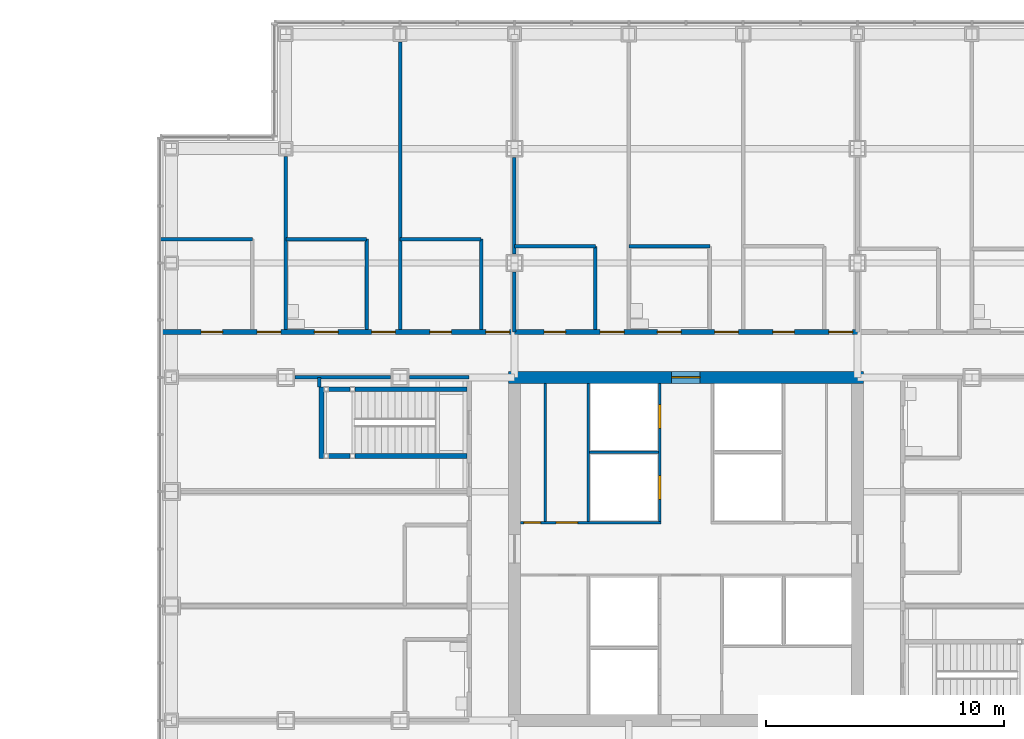
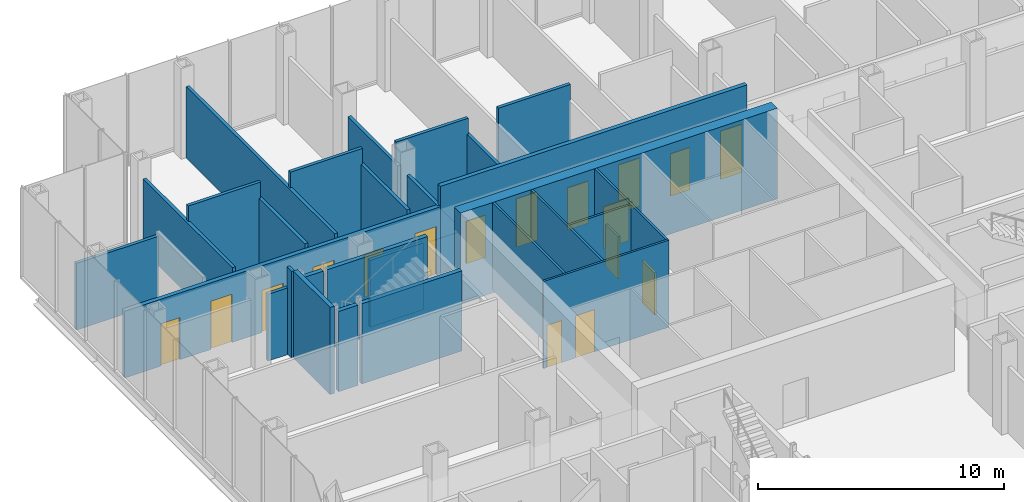
# One storey, part 22 of 26: 28 walls, 17 doors, 17 openings.
"""IFC4 building model written with IfcOpenShell, lengths in metres."""

from ifc_helpers import new_model, si_unit, direction, frame, frame_2d, origin, place, context, subcontext, project, spatial, rectangle, extrude, material, layer, layer_set, type_object, element, fill, save


model = new_model("IFC4")

# Units and contexts
model_context = context("Model", 3, precision=1e-05, world=origin(), true_north=direction((0.0, 1.0)))
body_context = subcontext(model_context, "Body", "Model", "MODEL_VIEW")
ifc_project = project(units=[si_unit("LENGTHUNIT", "METRE"), si_unit("AREAUNIT", "SQUARE_METRE"), si_unit("VOLUMEUNIT", "CUBIC_METRE"), si_unit("PLANEANGLEUNIT", "RADIAN"), si_unit("MASSUNIT", "GRAM", prefix="KILO")], contexts=[model_context])

# Site, building, storey
site_placement = place(None, origin())
site = spatial("IfcSite", under=ifc_project, at=site_placement, CompositionType="ELEMENT")
building_placement = place(site_placement, origin())
building = spatial("IfcBuilding", under=site, at=building_placement, Name="Kvirike Care Tower", CompositionType="ELEMENT")
storey_placement = place(building_placement, frame((0.0, 0.0, 18.0)))
storey = spatial("IfcBuildingStorey", under=building, at=storey_placement, Name="L04", CompositionType="ELEMENT", Elevation=18.0)

# Walls
ifc_material_1 = material(Name="Plasterboard partition", Category="gypsum")
ifc_layer_1 = layer(ifc_material_1, 0.14990234375)
ifc_layer_set_1 = layer_set([ifc_layer_1], Name="CLINIC PARTITION 150")
wall_type_1 = type_object("IfcWallType", Name="CLINIC PARTITION 150", PredefinedType="PARTITIONING", material=ifc_layer_set_1)
wall_1_placement = place(storey_placement, frame((6.199951171875, 43.199951171875, 0.0), z_axis=(0.0, 0.0, 1.0), x_axis=(0.0, -1.0, 0.0)))
element("IfcWall", 1, at=wall_1_placement, inside=storey, type_object=wall_type_1, Name="Clinic Partition 150 L04", PredefinedType="PARTITIONING", context=body_context, shape_type="SweptSolid", body=[
    extrude(rectangle(XDim=0.39990234375, YDim=0.14990234375, at=frame_2d((0.199951171875, 0.0))), origin(), (0.0, 0.0, 1.0), 4.330078125),
])
wall_2_placement = place(storey_placement, frame((13.0, 49.0, 0.0), z_axis=(0.0, 0.0, 1.0), x_axis=(0.0, -1.0, 0.0)))
element("IfcWall", 2, at=wall_2_placement, inside=storey, type_object=wall_type_1, Name="Clinic Partition 150 L04", PredefinedType="PARTITIONING", context=body_context, shape_type="SweptSolid", body=[
    extrude(rectangle(XDim=3.800048828125, YDim=0.14990234375, at=frame_2d((1.89990234375, 0.0))), origin(), (0.0, 0.0, 1.0), 3.550048828125),
])
wall_3_placement = place(storey_placement, frame((13.0, 49.0, 0.0), z_axis=(0.0, 0.0, 1.0), x_axis=(-1.0, 0.0, 0.0)))
element("IfcWall", 3, at=wall_3_placement, inside=storey, type_object=wall_type_1, Name="Clinic Partition 150 L04", PredefinedType="PARTITIONING", context=body_context, shape_type="SweptSolid", body=[
    extrude(rectangle(XDim=3.39990234375, YDim=0.14990234375, at=frame_2d((1.699951171875, 0.0))), origin(), (0.0, 0.0, 1.0), 4.330078125),
])
wall_4_placement = place(storey_placement, frame((8.199951171875, 49.0, 0.0), z_axis=(0.0, 0.0, 1.0), x_axis=(0.0, -1.0, 0.0)))
element("IfcWall", 4, at=wall_4_placement, inside=storey, type_object=wall_type_1, Name="Clinic Partition 150 L04", PredefinedType="PARTITIONING", context=body_context, shape_type="SweptSolid", body=[
    extrude(rectangle(XDim=3.800048828125, YDim=0.14990234375, at=frame_2d((1.89990234375, 0.0))), origin(), (0.0, 0.0, 1.0), 3.550048828125),
])
wall_5_placement = place(storey_placement, frame((8.199951171875, 49.0, 0.0), z_axis=(0.0, 0.0, 1.0), x_axis=(-1.0, 0.0, 0.0)))
element("IfcWall", 5, at=wall_5_placement, inside=storey, type_object=wall_type_1, Name="Clinic Partition 150 L04", PredefinedType="PARTITIONING", context=body_context, shape_type="SweptSolid", body=[
    extrude(rectangle(XDim=3.39990234375, YDim=0.14990234375, at=frame_2d((1.699951171875, 0.0))), origin(), (0.0, 0.0, 1.0), 4.330078125),
])
wall_6_placement = place(storey_placement, frame((3.39990234375, 49.0, 0.0), z_axis=(0.0, 0.0, 1.0), x_axis=(-1.0, 0.0, 0.0)))
element("IfcWall", 6, at=wall_6_placement, inside=storey, type_object=wall_type_1, Name="Clinic Partition 150 L04", PredefinedType="PARTITIONING", context=body_context, shape_type="SweptSolid", body=[
    extrude(rectangle(XDim=3.85498046875, YDim=0.14990234375, at=frame_2d((1.927490234375, 0.0))), origin(), (0.0, 0.0, 1.0), 3.320068359375),
])
wall_7_placement = place(storey_placement, frame((9.60009765625, 57.280029296875, 0.0), z_axis=(0.0, 0.0, 1.0), x_axis=(0.0, -1.0, 0.0)))
element("IfcWall", 7, at=wall_7_placement, inside=storey, type_object=wall_type_1, Name="Clinic Partition 150 L04", PredefinedType="PARTITIONING", context=body_context, shape_type="SweptSolid", body=[
    extrude(rectangle(XDim=12.080078125, YDim=0.14990234375, at=frame_2d((6.0400390625, 0.0))), origin(), (0.0, 0.0, 1.0), 3.550048828125),
])
wall_8_placement = place(storey_placement, frame((4.800048828125, 52.47998046875, 0.0), z_axis=(0.0, 0.0, 1.0), x_axis=(0.0, -1.0, 0.0)))
element("IfcWall", 8, at=wall_8_placement, inside=storey, type_object=wall_type_1, Name="Clinic Partition 150 L04", PredefinedType="PARTITIONING", context=body_context, shape_type="SweptSolid", body=[
    extrude(rectangle(XDim=7.280029296875, YDim=0.14990234375, at=frame_2d((3.64013671875, 0.0))), origin(), (0.0, 0.0, 1.0), 3.550048828125),
])
wall_9_placement = place(storey_placement, frame((22.60009765625, 48.699951171875, 0.0), z_axis=(0.0, 0.0, 1.0), x_axis=(-1.0, 0.0, 0.0)))
element("IfcWall", 9, at=wall_9_placement, inside=storey, type_object=wall_type_1, Name="Clinic Partition 150 L04", PredefinedType="PARTITIONING", context=body_context, shape_type="SweptSolid", body=[
    extrude(rectangle(XDim=3.400146484375, YDim=0.14990234375, at=frame_2d((1.7001953125, 0.0))), origin(), (0.0, 0.0, 1.0), 4.330078125),
])
wall_10_placement = place(storey_placement, frame((17.800048828125, 48.699951171875, 0.0), z_axis=(0.0, 0.0, 1.0), x_axis=(0.0, -1.0, 0.0)))
element("IfcWall", 10, at=wall_10_placement, inside=storey, type_object=wall_type_1, Name="Clinic Partition 150 L04", PredefinedType="PARTITIONING", context=body_context, shape_type="SweptSolid", body=[
    extrude(rectangle(XDim=3.5, YDim=0.14990234375, at=frame_2d((1.75, 0.0))), origin(), (0.0, 0.0, 1.0), 3.550048828125),
])
wall_11_placement = place(storey_placement, frame((17.800048828125, 48.699951171875, 0.0), z_axis=(0.0, 0.0, 1.0), x_axis=(-1.0, 0.0, 0.0)))
element("IfcWall", 11, at=wall_11_placement, inside=storey, type_object=wall_type_1, Name="Clinic Partition 150 L04", PredefinedType="PARTITIONING", context=body_context, shape_type="SweptSolid", body=[
    extrude(rectangle(XDim=3.400146484375, YDim=0.14990234375, at=frame_2d((1.7001953125, 0.0))), origin(), (0.0, 0.0, 1.0), 4.330078125),
])
wall_12_placement = place(storey_placement, frame((12.5, 43.199951171875, 0.0), z_axis=(0.0, 0.0, 1.0), x_axis=(-1.0, 0.0, 0.0)))
element("IfcWall", 12, at=wall_12_placement, inside=storey, type_object=wall_type_1, Name="Clinic Partition 150 L04", PredefinedType="PARTITIONING", context=body_context, shape_type="SweptSolid", body=[
    extrude(rectangle(XDim=2.5048828125, YDim=0.14990234375, at=frame_2d((1.25244140625, 0.0))), origin(), (0.0, 0.0, 1.0), 3.320068359375),
])
wall_13_placement = place(storey_placement, frame((9.205078125, 43.199951171875, 0.0), z_axis=(0.0, 0.0, 1.0), x_axis=(-1.0, 0.0, 0.0)))
element("IfcWall", 13, at=wall_13_placement, inside=storey, type_object=wall_type_1, Name="Clinic Partition 150 L04", PredefinedType="PARTITIONING", context=body_context, shape_type="SweptSolid", body=[
    extrude(rectangle(XDim=4.010009765625, YDim=0.14990234375, at=frame_2d((2.0048828125, 0.0))), origin(), (0.0, 0.0, 1.0), 3.320068359375),
])
wall_14_placement = place(storey_placement, frame((14.39990234375, 45.10009765625, 0.0), z_axis=(0.0, 0.0, 1.0), x_axis=(0.0, 1.0, 0.0)))
element("IfcWall", 14, at=wall_14_placement, inside=storey, type_object=wall_type_1, Name="Clinic Partition 150 L04", PredefinedType="PARTITIONING", context=body_context, shape_type="SweptSolid", body=[
    extrude(rectangle(XDim=2.52978515625, YDim=0.14990234375, at=frame_2d((1.264892578125, 0.0))), origin(), (0.0, 0.0, 1.0), 3.320068359375),
])
wall_15_placement = place(storey_placement, frame((14.39990234375, 48.3701171875, 0.0), z_axis=(0.0, 0.0, 1.0), x_axis=(0.0, 1.0, 0.0)))
element("IfcWall", 15, at=wall_15_placement, inside=storey, type_object=wall_type_1, Name="Clinic Partition 150 L04", PredefinedType="PARTITIONING", context=body_context, shape_type="SweptSolid", body=[
    extrude(rectangle(XDim=4.059814453125, YDim=0.14990234375, at=frame_2d((2.02978515625, 0.0))), origin(), (0.0, 0.0, 1.0), 3.320068359375),
])

# Wall, opening, door
ifc_material_2 = material(Name="Concrete C60/75", Category="concrete")
ifc_layer_2 = layer(ifc_material_2, 0.5)
ifc_layer_set_2 = layer_set([ifc_layer_2], Name="CORE WALL 500 C60-75")
wall_type_2 = type_object("IfcWallType", Name="CORE WALL 500 C60-75", PredefinedType="SHEAR", material=ifc_layer_set_2)
wall_16_placement = place(storey_placement, frame((29.050048828125, 43.199951171875, -0.169921875), z_axis=(0.0, 0.0, 1.0), x_axis=(-1.0, 0.0, 0.0)))
wall_16 = element("IfcWall", 16, at=wall_16_placement, inside=storey, type_object=wall_type_2, Name="Core wall N L04", PredefinedType="SHEAR", context=body_context, shape_type="SweptSolid", body=[
    extrude(rectangle(XDim=14.900146484375, YDim=0.5, at=frame_2d((7.4501953125, 0.0))), origin(), (0.0, 0.0, 1.0), 4.5),
])
opening_1_placement = place(wall_16_placement, frame((6.85009765625, 0.0, 0.169921875)))
opening_1 = element("IfcOpeningElement", 17, at=opening_1_placement, cuts=wall_16, Name="Opening 04-061", PredefinedType="OPENING", context=body_context, shape_type="SweptSolid", body=[
    extrude(rectangle(XDim=1.199951171875, YDim=2.10009765625, at=frame_2d((0.60009765625, 1.050048828125))), frame((0.0, 0.260498046875, 0.0), z_axis=(0.0, -1.0, 0.0), x_axis=(1.0, 0.0, 0.0)), (0.0, 0.0, 1.0), 0.52099609375),
])
ifc_material_3 = material(Name="Timber door set", Category="wood")
door_type_1 = type_object("IfcDoorType", Name="CORE DOOR 1200", OperationType="SINGLE_SWING_LEFT", PredefinedType="DOOR", material=ifc_material_3)
door_1_placement = place(opening_1_placement, origin())
door_1 = element("IfcDoor", 18, at=door_1_placement, inside=storey, type_object=door_type_1, Name="Core door N L04", OperationType="SINGLE_SWING_LEFT", OverallHeight=2.10009765625, OverallWidth=1.199951171875, PredefinedType="DOOR", context=body_context, shape_type="SweptSolid", body=[
    extrude(rectangle(XDim=1.199951171875, YDim=2.10009765625, at=frame_2d((0.60009765625, 1.050048828125))), frame((0.0, 0.02685546875, 0.0), z_axis=(0.0, -1.0, 0.0), x_axis=(1.0, 0.0, 0.0)), (0.0, 0.0, 1.0), 0.053955078125),
])
fill(opening_1, door_1)

# Wall, openings, doors
ifc_material_4 = material(Name="Plasterboard corridor wall", Category="gypsum")
ifc_layer_3 = layer(ifc_material_4, 0.199951171875)
ifc_layer_set_3 = layer_set([ifc_layer_3], Name="CORRIDOR WALL 200")
wall_type_3 = type_object("IfcWallType", Name="CORRIDOR WALL 200", PredefinedType="PARTITIONING", material=ifc_layer_set_3)
wall_17_placement = place(storey_placement, frame((14.39990234375, 45.10009765625, 0.0), z_axis=(0.0, 0.0, 1.0), x_axis=(-1.0, 0.0, 0.0)))
wall_17 = element("IfcWall", 19, at=wall_17_placement, inside=storey, type_object=wall_type_3, Name="Corridor Wall 200 L04", PredefinedType="PARTITIONING", context=body_context, shape_type="SweptSolid", body=[
    extrude(rectangle(XDim=14.85498046875, YDim=0.199951171875, at=frame_2d((7.427490234375, 0.0))), origin(), (0.0, 0.0, 1.0), 3.320068359375),
])
opening_2_placement = place(wall_17_placement, frame((0.199951171875, 0.0, 0.0)))
opening_2 = element("IfcOpeningElement", 20, at=opening_2_placement, cuts=wall_17, Name="Opening 04-012", PredefinedType="OPENING", context=body_context, shape_type="SweptSolid", body=[
    extrude(rectangle(XDim=1.0, YDim=2.39990234375, at=frame_2d((0.5, 1.199951171875))), frame((0.0, 0.110595703125, 0.0), z_axis=(0.0, -1.0, 0.0), x_axis=(1.0, 0.0, 0.0)), (0.0, 0.0, 1.0), 0.220947265625),
])
opening_3_placement = place(wall_17_placement, frame((5.0, 0.0, 0.0)))
opening_3 = element("IfcOpeningElement", 21, at=opening_3_placement, cuts=wall_17, Name="Opening 04-013", PredefinedType="OPENING", context=body_context, shape_type="SweptSolid", body=[
    extrude(rectangle(XDim=1.0, YDim=2.39990234375, at=frame_2d((0.5, 1.199951171875))), frame((0.0, 0.110595703125, 0.0), z_axis=(0.0, -1.0, 0.0), x_axis=(1.0, 0.0, 0.0)), (0.0, 0.0, 1.0), 0.220947265625),
])
opening_4_placement = place(wall_17_placement, frame((9.800048828125, 0.0, 0.0)))
opening_4 = element("IfcOpeningElement", 22, at=opening_4_placement, cuts=wall_17, Name="Opening 04-014", PredefinedType="OPENING", context=body_context, shape_type="SweptSolid", body=[
    extrude(rectangle(XDim=1.0, YDim=2.39990234375, at=frame_2d((0.5, 1.199951171875))), frame((0.0, 0.110595703125, 0.0), z_axis=(0.0, -1.0, 0.0), x_axis=(1.0, 0.0, 0.0)), (0.0, 0.0, 1.0), 0.220947265625),
])
opening_5_placement = place(wall_17_placement, frame((2.64990234375, 0.0, 0.0)))
opening_5 = element("IfcOpeningElement", 23, at=opening_5_placement, cuts=wall_17, Name="Opening 04-015", PredefinedType="OPENING", context=body_context, shape_type="SweptSolid", body=[
    extrude(rectangle(XDim=0.89990234375, YDim=2.10009765625, at=frame_2d((0.449951171875, 1.050048828125))), frame((0.0, 0.110595703125, 0.0), z_axis=(0.0, -1.0, 0.0), x_axis=(1.0, 0.0, 0.0)), (0.0, 0.0, 1.0), 0.220947265625),
])
opening_6_placement = place(wall_17_placement, frame((7.39990234375, 0.0, 0.0)))
opening_6 = element("IfcOpeningElement", 24, at=opening_6_placement, cuts=wall_17, Name="Opening 04-016", PredefinedType="OPENING", context=body_context, shape_type="SweptSolid", body=[
    extrude(rectangle(XDim=1.0, YDim=2.10009765625, at=frame_2d((0.5, 1.050048828125))), frame((0.0, 0.110595703125, 0.0), z_axis=(0.0, -1.0, 0.0), x_axis=(1.0, 0.0, 0.0)), (0.0, 0.0, 1.0), 0.220947265625),
])
opening_7_placement = place(wall_17_placement, frame((12.25, 0.0, 0.0)))
opening_7 = element("IfcOpeningElement", 25, at=opening_7_placement, cuts=wall_17, Name="Opening 04-017", PredefinedType="OPENING", context=body_context, shape_type="SweptSolid", body=[
    extrude(rectangle(XDim=0.89990234375, YDim=2.10009765625, at=frame_2d((0.449951171875, 1.050048828125))), frame((0.0, 0.110595703125, 0.0), z_axis=(0.0, -1.0, 0.0), x_axis=(1.0, 0.0, 0.0)), (0.0, 0.0, 1.0), 0.220947265625),
])
ifc_material_5 = material(Name="Timber door set", Category="wood")
door_type_2 = type_object("IfcDoorType", Name="CONSULTING ROOM DOOR 1000", OperationType="SINGLE_SWING_LEFT", PredefinedType="DOOR", material=ifc_material_5)
door_2_placement = place(opening_2_placement, frame((1.0, 0.0, 0.0), z_axis=(0.0, 0.0, 1.0), x_axis=(-1.0, 0.0, 0.0)))
door_2 = element("IfcDoor", 26, at=door_2_placement, inside=storey, type_object=door_type_2, Name="Management office door", OperationType="SINGLE_SWING_RIGHT", OverallHeight=2.39990234375, OverallWidth=1.0, PredefinedType="DOOR", context=body_context, shape_type="SweptSolid", body=[
    extrude(rectangle(XDim=1.0, YDim=2.39990234375, at=frame_2d((0.5, 1.199951171875))), frame((0.0, 0.02685546875, 0.0), z_axis=(0.0, -1.0, 0.0), x_axis=(1.0, 0.0, 0.0)), (0.0, 0.0, 1.0), 0.053955078125),
])
fill(opening_2, door_2)
door_3_placement = place(opening_3_placement, frame((1.0, 0.0, 0.0), z_axis=(0.0, 0.0, 1.0), x_axis=(-1.0, 0.0, 0.0)))
door_3 = element("IfcDoor", 27, at=door_3_placement, inside=storey, type_object=door_type_2, Name="Management office door", OperationType="SINGLE_SWING_LEFT", OverallHeight=2.39990234375, OverallWidth=1.0, PredefinedType="DOOR", context=body_context, shape_type="SweptSolid", body=[
    extrude(rectangle(XDim=1.0, YDim=2.39990234375, at=frame_2d((0.5, 1.199951171875))), frame((0.0, 0.02685546875, 0.0), z_axis=(0.0, -1.0, 0.0), x_axis=(1.0, 0.0, 0.0)), (0.0, 0.0, 1.0), 0.053955078125),
])
fill(opening_3, door_3)
door_4_placement = place(opening_4_placement, frame((1.0, 0.0, 0.0), z_axis=(0.0, 0.0, 1.0), x_axis=(-1.0, 0.0, 0.0)))
door_4 = element("IfcDoor", 28, at=door_4_placement, inside=storey, type_object=door_type_2, Name="Meeting room door", OperationType="SINGLE_SWING_LEFT", OverallHeight=2.39990234375, OverallWidth=1.0, PredefinedType="DOOR", context=body_context, shape_type="SweptSolid", body=[
    extrude(rectangle(XDim=1.0, YDim=2.39990234375, at=frame_2d((0.5, 1.199951171875))), frame((0.0, 0.02685546875, 0.0), z_axis=(0.0, -1.0, 0.0), x_axis=(1.0, 0.0, 0.0)), (0.0, 0.0, 1.0), 0.053955078125),
])
fill(opening_4, door_4)
ifc_material_6 = material(Name="Timber door set", Category="wood")
door_type_3 = type_object("IfcDoorType", Name="STORE DOOR 900", OperationType="SINGLE_SWING_LEFT", PredefinedType="DOOR", material=ifc_material_6)
door_5_placement = place(opening_5_placement, frame((0.89990234375, 0.0, 0.0), z_axis=(0.0, 0.0, 1.0), x_axis=(-1.0, 0.0, 0.0)))
door_5 = element("IfcDoor", 29, at=door_5_placement, inside=storey, type_object=door_type_3, Name="Store door", OperationType="SINGLE_SWING_LEFT", OverallHeight=2.10009765625, OverallWidth=0.89990234375, PredefinedType="DOOR", context=body_context, shape_type="SweptSolid", body=[
    extrude(rectangle(XDim=0.89990234375, YDim=2.10009765625, at=frame_2d((0.449951171875, 1.050048828125))), frame((0.0, 0.02685546875, 0.0), z_axis=(0.0, -1.0, 0.0), x_axis=(1.0, 0.0, 0.0)), (0.0, 0.0, 1.0), 0.053955078125),
])
fill(opening_5, door_5)
door_6_placement = place(opening_7_placement, frame((0.89990234375, 0.0, 0.0), z_axis=(0.0, 0.0, 1.0), x_axis=(-1.0, 0.0, 0.0)))
door_6 = element("IfcDoor", 30, at=door_6_placement, inside=storey, type_object=door_type_3, Name="Store door", OperationType="SINGLE_SWING_RIGHT", OverallHeight=2.10009765625, OverallWidth=0.89990234375, PredefinedType="DOOR", context=body_context, shape_type="SweptSolid", body=[
    extrude(rectangle(XDim=0.89990234375, YDim=2.10009765625, at=frame_2d((0.449951171875, 1.050048828125))), frame((0.0, 0.02685546875, 0.0), z_axis=(0.0, -1.0, 0.0), x_axis=(1.0, 0.0, 0.0)), (0.0, 0.0, 1.0), 0.053955078125),
])
fill(opening_7, door_6)
ifc_material_7 = material(Name="Timber door set", Category="wood")
door_type_4 = type_object("IfcDoorType", Name="WC DOOR 1000", OperationType="SINGLE_SWING_LEFT", PredefinedType="DOOR", material=ifc_material_7)
door_7_placement = place(opening_6_placement, frame((1.0, 0.0, 0.0), z_axis=(0.0, 0.0, 1.0), x_axis=(-1.0, 0.0, 0.0)))
door_7 = element("IfcDoor", 31, at=door_7_placement, inside=storey, type_object=door_type_4, Name="Staff WC door", OperationType="SINGLE_SWING_RIGHT", OverallHeight=2.10009765625, OverallWidth=1.0, PredefinedType="DOOR", context=body_context, shape_type="SweptSolid", body=[
    extrude(rectangle(XDim=1.0, YDim=2.10009765625, at=frame_2d((0.5, 1.050048828125))), frame((0.0, 0.02685546875, 0.0), z_axis=(0.0, -1.0, 0.0), x_axis=(1.0, 0.0, 0.0)), (0.0, 0.0, 1.0), 0.053955078125),
])
fill(opening_6, door_7)

wall_18_placement = place(storey_placement, frame((28.800048828125, 45.10009765625, 0.0), z_axis=(0.0, 0.0, 1.0), x_axis=(-1.0, 0.0, 0.0)))
wall_18 = element("IfcWall", 32, at=wall_18_placement, inside=storey, type_object=wall_type_3, Name="Corridor Wall 200 L04", PredefinedType="PARTITIONING", context=body_context, shape_type="SweptSolid", body=[
    extrude(rectangle(XDim=14.400146484375, YDim=0.199951171875, at=frame_2d((7.2001953125, 0.0))), origin(), (0.0, 0.0, 1.0), 4.330078125),
])
opening_8_placement = place(wall_18_placement, frame((0.199951171875, 0.0, 0.0)))
opening_8 = element("IfcOpeningElement", 33, at=opening_8_placement, cuts=wall_18, Name="Opening 04-019", PredefinedType="OPENING", context=body_context, shape_type="SweptSolid", body=[
    extrude(rectangle(XDim=1.0, YDim=2.39990234375, at=frame_2d((0.5, 1.199951171875))), frame((0.0, 0.110595703125, 0.0), z_axis=(0.0, -1.0, 0.0), x_axis=(1.0, 0.0, 0.0)), (0.0, 0.0, 1.0), 0.220947265625),
])
opening_9_placement = place(wall_18_placement, frame((5.0, 0.0, 0.0)))
opening_9 = element("IfcOpeningElement", 34, at=opening_9_placement, cuts=wall_18, Name="Opening 04-020", PredefinedType="OPENING", context=body_context, shape_type="SweptSolid", body=[
    extrude(rectangle(XDim=1.0, YDim=2.39990234375, at=frame_2d((0.5, 1.199951171875))), frame((0.0, 0.110595703125, 0.0), z_axis=(0.0, -1.0, 0.0), x_axis=(1.0, 0.0, 0.0)), (0.0, 0.0, 1.0), 0.220947265625),
])
opening_10_placement = place(wall_18_placement, frame((9.800048828125, 0.0, 0.0)))
opening_10 = element("IfcOpeningElement", 35, at=opening_10_placement, cuts=wall_18, Name="Opening 04-021", PredefinedType="OPENING", context=body_context, shape_type="SweptSolid", body=[
    extrude(rectangle(XDim=1.0, YDim=2.39990234375, at=frame_2d((0.5, 1.199951171875))), frame((0.0, 0.110595703125, 0.0), z_axis=(0.0, -1.0, 0.0), x_axis=(1.0, 0.0, 0.0)), (0.0, 0.0, 1.0), 0.220947265625),
])
opening_11_placement = place(wall_18_placement, frame((2.64990234375, 0.0, 0.0)))
opening_11 = element("IfcOpeningElement", 36, at=opening_11_placement, cuts=wall_18, Name="Opening 04-022", PredefinedType="OPENING", context=body_context, shape_type="SweptSolid", body=[
    extrude(rectangle(XDim=0.89990234375, YDim=2.10009765625, at=frame_2d((0.449951171875, 1.050048828125))), frame((0.0, 0.110595703125, 0.0), z_axis=(0.0, -1.0, 0.0), x_axis=(1.0, 0.0, 0.0)), (0.0, 0.0, 1.0), 0.220947265625),
])
opening_12_placement = place(wall_18_placement, frame((7.39990234375, 0.0, 0.0)))
opening_12 = element("IfcOpeningElement", 37, at=opening_12_placement, cuts=wall_18, Name="Opening 04-023", PredefinedType="OPENING", context=body_context, shape_type="SweptSolid", body=[
    extrude(rectangle(XDim=1.0, YDim=2.10009765625, at=frame_2d((0.5, 1.050048828125))), frame((0.0, 0.110595703125, 0.0), z_axis=(0.0, -1.0, 0.0), x_axis=(1.0, 0.0, 0.0)), (0.0, 0.0, 1.0), 0.220947265625),
])
opening_13_placement = place(wall_18_placement, frame((12.25, 0.0, 0.0)))
opening_13 = element("IfcOpeningElement", 38, at=opening_13_placement, cuts=wall_18, Name="Opening 04-024", PredefinedType="OPENING", context=body_context, shape_type="SweptSolid", body=[
    extrude(rectangle(XDim=0.89990234375, YDim=2.10009765625, at=frame_2d((0.449951171875, 1.050048828125))), frame((0.0, 0.110595703125, 0.0), z_axis=(0.0, -1.0, 0.0), x_axis=(1.0, 0.0, 0.0)), (0.0, 0.0, 1.0), 0.220947265625),
])
door_8_placement = place(opening_8_placement, frame((1.0, 0.0, 0.0), z_axis=(0.0, 0.0, 1.0), x_axis=(-1.0, 0.0, 0.0)))
door_8 = element("IfcDoor", 39, at=door_8_placement, inside=storey, type_object=door_type_2, Name="Training room door", OperationType="SINGLE_SWING_LEFT", OverallHeight=2.39990234375, OverallWidth=1.0, PredefinedType="DOOR", context=body_context, shape_type="SweptSolid", body=[
    extrude(rectangle(XDim=1.0, YDim=2.39990234375, at=frame_2d((0.5, 1.199951171875))), frame((0.0, 0.02685546875, 0.0), z_axis=(0.0, -1.0, 0.0), x_axis=(1.0, 0.0, 0.0)), (0.0, 0.0, 1.0), 0.053955078125),
])
fill(opening_8, door_8)
door_9_placement = place(opening_9_placement, frame((1.0, 0.0, 0.0), z_axis=(0.0, 0.0, 1.0), x_axis=(-1.0, 0.0, 0.0)))
door_9 = element("IfcDoor", 40, at=door_9_placement, inside=storey, type_object=door_type_2, Name="Training room door", OperationType="SINGLE_SWING_RIGHT", OverallHeight=2.39990234375, OverallWidth=1.0, PredefinedType="DOOR", context=body_context, shape_type="SweptSolid", body=[
    extrude(rectangle(XDim=1.0, YDim=2.39990234375, at=frame_2d((0.5, 1.199951171875))), frame((0.0, 0.02685546875, 0.0), z_axis=(0.0, -1.0, 0.0), x_axis=(1.0, 0.0, 0.0)), (0.0, 0.0, 1.0), 0.053955078125),
])
fill(opening_9, door_9)
door_10_placement = place(opening_10_placement, frame((1.0, 0.0, 0.0), z_axis=(0.0, 0.0, 1.0), x_axis=(-1.0, 0.0, 0.0)))
door_10 = element("IfcDoor", 41, at=door_10_placement, inside=storey, type_object=door_type_2, Name="Staff room door", OperationType="SINGLE_SWING_RIGHT", OverallHeight=2.39990234375, OverallWidth=1.0, PredefinedType="DOOR", context=body_context, shape_type="SweptSolid", body=[
    extrude(rectangle(XDim=1.0, YDim=2.39990234375, at=frame_2d((0.5, 1.199951171875))), frame((0.0, 0.02685546875, 0.0), z_axis=(0.0, -1.0, 0.0), x_axis=(1.0, 0.0, 0.0)), (0.0, 0.0, 1.0), 0.053955078125),
])
fill(opening_10, door_10)
door_11_placement = place(opening_11_placement, frame((0.89990234375, 0.0, 0.0), z_axis=(0.0, 0.0, 1.0), x_axis=(-1.0, 0.0, 0.0)))
door_11 = element("IfcDoor", 42, at=door_11_placement, inside=storey, type_object=door_type_3, Name="Store door", OperationType="SINGLE_SWING_RIGHT", OverallHeight=2.10009765625, OverallWidth=0.89990234375, PredefinedType="DOOR", context=body_context, shape_type="SweptSolid", body=[
    extrude(rectangle(XDim=0.89990234375, YDim=2.10009765625, at=frame_2d((0.449951171875, 1.050048828125))), frame((0.0, 0.02685546875, 0.0), z_axis=(0.0, -1.0, 0.0), x_axis=(1.0, 0.0, 0.0)), (0.0, 0.0, 1.0), 0.053955078125),
])
fill(opening_11, door_11)
door_12_placement = place(opening_13_placement, frame((0.89990234375, 0.0, 0.0), z_axis=(0.0, 0.0, 1.0), x_axis=(-1.0, 0.0, 0.0)))
door_12 = element("IfcDoor", 43, at=door_12_placement, inside=storey, type_object=door_type_3, Name="Store door", OperationType="SINGLE_SWING_LEFT", OverallHeight=2.10009765625, OverallWidth=0.89990234375, PredefinedType="DOOR", context=body_context, shape_type="SweptSolid", body=[
    extrude(rectangle(XDim=0.89990234375, YDim=2.10009765625, at=frame_2d((0.449951171875, 1.050048828125))), frame((0.0, 0.02685546875, 0.0), z_axis=(0.0, -1.0, 0.0), x_axis=(1.0, 0.0, 0.0)), (0.0, 0.0, 1.0), 0.053955078125),
])
fill(opening_13, door_12)
door_13_placement = place(opening_12_placement, frame((1.0, 0.0, 0.0), z_axis=(0.0, 0.0, 1.0), x_axis=(-1.0, 0.0, 0.0)))
door_13 = element("IfcDoor", 44, at=door_13_placement, inside=storey, type_object=door_type_4, Name="Accessible WC door", OperationType="SINGLE_SWING_LEFT", OverallHeight=2.10009765625, OverallWidth=1.0, PredefinedType="DOOR", context=body_context, shape_type="SweptSolid", body=[
    extrude(rectangle(XDim=1.0, YDim=2.10009765625, at=frame_2d((0.5, 1.050048828125))), frame((0.0, 0.02685546875, 0.0), z_axis=(0.0, -1.0, 0.0), x_axis=(1.0, 0.0, 0.0)), (0.0, 0.0, 1.0), 0.053955078125),
])
fill(opening_12, door_13)

# Wall
ifc_material_8 = material(Name="Gypsum shaft wall system", Category="gypsum")
ifc_layer_4 = layer(ifc_material_8, 0.10009765625)
ifc_layer_set_4 = layer_set([ifc_layer_4], Name="SHAFT WALL 100")
wall_type_4 = type_object("IfcWallType", Name="SHAFT WALL 100", PredefinedType="SOLIDWALL", material=ifc_layer_set_4)
wall_19_placement = place(storey_placement, frame((15.699951171875, 37.14990234375, 0.0), z_axis=(0.0, 0.0, 1.0), x_axis=(0.0, 1.0, 0.0)))
element("IfcWall", 45, at=wall_19_placement, inside=storey, type_object=wall_type_4, Name="Shaft Wall 100 L04", PredefinedType="SOLIDWALL", context=body_context, shape_type="SweptSolid", body=[
    extrude(rectangle(XDim=5.800048828125, YDim=0.10009765625, at=frame_2d((2.89990234375, 0.0))), origin(), (0.0, 0.0, 1.0), 4.330078125),
])

# Wall, openings, doors
wall_20_placement = place(storey_placement, frame((20.5, 37.14990234375, 0.0), z_axis=(0.0, 0.0, 1.0), x_axis=(0.0, 1.0, 0.0)))
wall_20 = element("IfcWall", 46, at=wall_20_placement, inside=storey, type_object=wall_type_4, Name="Shaft Wall 100 L04", PredefinedType="SOLIDWALL", context=body_context, shape_type="SweptSolid", body=[
    extrude(rectangle(XDim=5.800048828125, YDim=0.10009765625, at=frame_2d((2.89990234375, 0.0))), origin(), (0.0, 0.0, 1.0), 4.330078125),
])
opening_14_placement = place(wall_20_placement, frame((0.925048828125, 0.0, 0.0)))
opening_14 = element("IfcOpeningElement", 47, at=opening_14_placement, cuts=wall_20, Name="Opening 04-049", PredefinedType="OPENING", context=body_context, shape_type="SweptSolid", body=[
    extrude(rectangle(XDim=1.0, YDim=2.10009765625, at=frame_2d((0.5, 1.050048828125))), frame((0.0, 0.060546875, 0.0), z_axis=(0.0, -1.0, 0.0), x_axis=(1.0, 0.0, 0.0)), (0.0, 0.0, 1.0), 0.12109375),
])
opening_15_placement = place(wall_20_placement, frame((3.89990234375, 0.0, 0.0)))
opening_15 = element("IfcOpeningElement", 48, at=opening_15_placement, cuts=wall_20, Name="Opening 04-050", PredefinedType="OPENING", context=body_context, shape_type="SweptSolid", body=[
    extrude(rectangle(XDim=1.0, YDim=2.10009765625, at=frame_2d((0.5, 1.050048828125))), frame((0.0, 0.060546875, 0.0), z_axis=(0.0, -1.0, 0.0), x_axis=(1.0, 0.0, 0.0)), (0.0, 0.0, 1.0), 0.12109375),
])
ifc_material_9 = material(Name="Aluminium door frame", Category="aluminium")
door_type_5 = type_object("IfcDoorType", Name="LIFT LANDING DOOR 1000", OperationType="SLIDING_TO_LEFT", PredefinedType="DOOR", material=ifc_material_9)
door_14_placement = place(opening_14_placement, origin())
door_14 = element("IfcDoor", 49, at=door_14_placement, inside=storey, type_object=door_type_5, Name="Lift P1 landing door", OperationType="SLIDING_TO_LEFT", OverallHeight=2.10009765625, OverallWidth=1.0, PredefinedType="DOOR", context=body_context, shape_type="SweptSolid", body=[
    extrude(rectangle(XDim=1.0, YDim=2.10009765625, at=frame_2d((0.5, 1.050048828125))), frame((0.0, 0.0498046875, 0.0), z_axis=(0.0, -1.0, 0.0), x_axis=(1.0, 0.0, 0.0)), (0.0, 0.0, 1.0), 0.099609375),
])
fill(opening_14, door_14)
door_15_placement = place(opening_15_placement, origin())
door_15 = element("IfcDoor", 50, at=door_15_placement, inside=storey, type_object=door_type_5, Name="Lift P2 landing door", OperationType="SLIDING_TO_LEFT", OverallHeight=2.10009765625, OverallWidth=1.0, PredefinedType="DOOR", context=body_context, shape_type="SweptSolid", body=[
    extrude(rectangle(XDim=1.0, YDim=2.10009765625, at=frame_2d((0.5, 1.050048828125))), frame((0.0, 0.0498046875, 0.0), z_axis=(0.0, -1.0, 0.0), x_axis=(1.0, 0.0, 0.0)), (0.0, 0.0, 1.0), 0.099609375),
])
fill(opening_15, door_15)

wall_21_placement = place(storey_placement, frame((14.64990234375, 37.10009765625, 0.0), z_axis=(0.0, 0.0, 1.0), x_axis=(1.0, 0.0, 0.0)))
wall_21 = element("IfcWall", 51, at=wall_21_placement, inside=storey, type_object=wall_type_4, Name="Shaft Wall 100 L04", PredefinedType="SOLIDWALL", context=body_context, shape_type="SweptSolid", body=[
    extrude(rectangle(XDim=5.900146484375, YDim=0.10009765625, at=frame_2d((2.9501953125, 0.0))), origin(), (0.0, 0.0, 1.0), 4.330078125),
])
opening_16_placement = place(wall_21_placement, frame((0.14990234375, 0.0, 0.0)))
opening_16 = element("IfcOpeningElement", 52, at=opening_16_placement, cuts=wall_21, Name="Opening 04-053", PredefinedType="OPENING", context=body_context, shape_type="SweptSolid", body=[
    extrude(rectangle(XDim=0.699951171875, YDim=2.10009765625, at=frame_2d((0.35009765625, 1.050048828125))), frame((0.0, 0.060546875, 0.0), z_axis=(0.0, -1.0, 0.0), x_axis=(1.0, 0.0, 0.0)), (0.0, 0.0, 1.0), 0.12109375),
])
opening_17_placement = place(wall_21_placement, frame((1.5, 0.0, 0.0)))
opening_17 = element("IfcOpeningElement", 53, at=opening_17_placement, cuts=wall_21, Name="Opening 04-054", PredefinedType="OPENING", context=body_context, shape_type="SweptSolid", body=[
    extrude(rectangle(XDim=0.89990234375, YDim=2.10009765625, at=frame_2d((0.449951171875, 1.050048828125))), frame((0.0, 0.060546875, 0.0), z_axis=(0.0, -1.0, 0.0), x_axis=(1.0, 0.0, 0.0)), (0.0, 0.0, 1.0), 0.12109375),
])
ifc_material_10 = material(Name="Timber door set", Category="wood")
door_type_6 = type_object("IfcDoorType", Name="RISER DOOR 700", OperationType="SINGLE_SWING_LEFT", PredefinedType="DOOR", material=ifc_material_10)
door_16_placement = place(opening_16_placement, origin())
door_16 = element("IfcDoor", 54, at=door_16_placement, inside=storey, type_object=door_type_6, Name="Riser door", OperationType="SINGLE_SWING_RIGHT", OverallHeight=2.10009765625, OverallWidth=0.699951171875, PredefinedType="DOOR", context=body_context, shape_type="SweptSolid", body=[
    extrude(rectangle(XDim=0.699951171875, YDim=2.10009765625, at=frame_2d((0.35009765625, 1.050048828125))), frame((0.0, 0.02685546875, 0.0), z_axis=(0.0, -1.0, 0.0), x_axis=(1.0, 0.0, 0.0)), (0.0, 0.0, 1.0), 0.053955078125),
])
fill(opening_16, door_16)
door_17_placement = place(opening_17_placement, origin())
door_17 = element("IfcDoor", 55, at=door_17_placement, inside=storey, type_object=door_type_3, Name="Linen store door", OperationType="SINGLE_SWING_LEFT", OverallHeight=2.10009765625, OverallWidth=0.89990234375, PredefinedType="DOOR", context=body_context, shape_type="SweptSolid", body=[
    extrude(rectangle(XDim=0.89990234375, YDim=2.10009765625, at=frame_2d((0.449951171875, 1.050048828125))), frame((0.0, 0.02685546875, 0.0), z_axis=(0.0, -1.0, 0.0), x_axis=(1.0, 0.0, 0.0)), (0.0, 0.0, 1.0), 0.053955078125),
])
fill(opening_17, door_17)

# Walls
wall_22_placement = place(storey_placement, frame((17.5, 37.14990234375, 0.0), z_axis=(0.0, 0.0, 1.0), x_axis=(0.0, 1.0, 0.0)))
element("IfcWall", 56, at=wall_22_placement, inside=storey, type_object=wall_type_4, Name="Shaft Wall 100 L04", PredefinedType="SOLIDWALL", context=body_context, shape_type="SweptSolid", body=[
    extrude(rectangle(XDim=5.800048828125, YDim=0.10009765625, at=frame_2d((2.89990234375, 0.0))), origin(), (0.0, 0.0, 1.0), 4.330078125),
])
wall_23_placement = place(storey_placement, frame((17.550048828125, 40.050048828125, 0.0), z_axis=(0.0, 0.0, 1.0), x_axis=(1.0, 0.0, 0.0)))
element("IfcWall", 57, at=wall_23_placement, inside=storey, type_object=wall_type_4, Name="Shaft Wall 100 L04", PredefinedType="SOLIDWALL", context=body_context, shape_type="SweptSolid", body=[
    extrude(rectangle(XDim=2.89990234375, YDim=0.10009765625, at=frame_2d((1.449951171875, 0.0))), origin(), (0.0, 0.0, 1.0), 4.330078125),
])
ifc_material_11 = material(Name="Concrete C40/50", Category="concrete")
ifc_layer_5 = layer(ifc_material_11, 0.199951171875)
ifc_layer_set_5 = layer_set([ifc_layer_5], Name="STAIR WALL 200")
wall_type_5 = type_object("IfcWallType", Name="STAIR WALL 200", PredefinedType="SOLIDWALL", material=ifc_layer_set_5)
wall_24_placement = place(storey_placement, frame((6.60009765625, 42.699951171875, 0.0), z_axis=(0.0, 0.0, 1.0), x_axis=(1.0, 0.0, 0.0)))
element("IfcWall", 58, at=wall_24_placement, inside=storey, type_object=wall_type_5, Name="Stair Wall 200 L04", PredefinedType="SOLIDWALL", context=body_context, shape_type="SweptSolid", body=[
    extrude(rectangle(XDim=0.89990234375, YDim=0.199951171875, at=frame_2d((0.449951171875, 0.0))), origin(), (0.0, 0.0, 1.0), 3.989990234375),
])
wall_25_placement = place(storey_placement, frame((7.699951171875, 42.699951171875, 0.0), z_axis=(0.0, 0.0, 1.0), x_axis=(1.0, 0.0, 0.0)))
element("IfcWall", 59, at=wall_25_placement, inside=storey, type_object=wall_type_5, Name="Stair Wall 200 L04", PredefinedType="SOLIDWALL", context=body_context, shape_type="SweptSolid", body=[
    extrude(rectangle(XDim=4.699951171875, YDim=0.199951171875, at=frame_2d((2.35009765625, 0.0))), origin(), (0.0, 0.0, 1.0), 3.989990234375),
])
wall_26_placement = place(storey_placement, frame((6.60009765625, 39.89990234375, 0.0), z_axis=(0.0, 0.0, 1.0), x_axis=(1.0, 0.0, 0.0)))
element("IfcWall", 60, at=wall_26_placement, inside=storey, type_object=wall_type_5, Name="Stair Wall 200 L04", PredefinedType="SOLIDWALL", context=body_context, shape_type="SweptSolid", body=[
    extrude(rectangle(XDim=0.89990234375, YDim=0.199951171875, at=frame_2d((0.449951171875, 0.0))), origin(), (0.0, 0.0, 1.0), 3.989990234375),
])
wall_27_placement = place(storey_placement, frame((7.699951171875, 39.89990234375, 0.0), z_axis=(0.0, 0.0, 1.0), x_axis=(1.0, 0.0, 0.0)))
element("IfcWall", 61, at=wall_27_placement, inside=storey, type_object=wall_type_5, Name="Stair Wall 200 L04", PredefinedType="SOLIDWALL", context=body_context, shape_type="SweptSolid", body=[
    extrude(rectangle(XDim=4.699951171875, YDim=0.199951171875, at=frame_2d((2.35009765625, 0.0))), origin(), (0.0, 0.0, 1.0), 3.989990234375),
])
wall_28_placement = place(storey_placement, frame((6.300048828125, 42.800048828125, 0.0), z_axis=(0.0, 0.0, 1.0), x_axis=(0.0, -1.0, 0.0)))
element("IfcWall", 62, at=wall_28_placement, inside=storey, type_object=wall_type_5, Name="Stair Wall 200 L04", PredefinedType="SOLIDWALL", context=body_context, shape_type="SweptSolid", body=[
    extrude(rectangle(XDim=3.0, YDim=0.199951171875, at=frame_2d((1.5, 0.0))), origin(), (0.0, 0.0, 1.0), 4.330078125),
])

save(model, "model.ifc")
